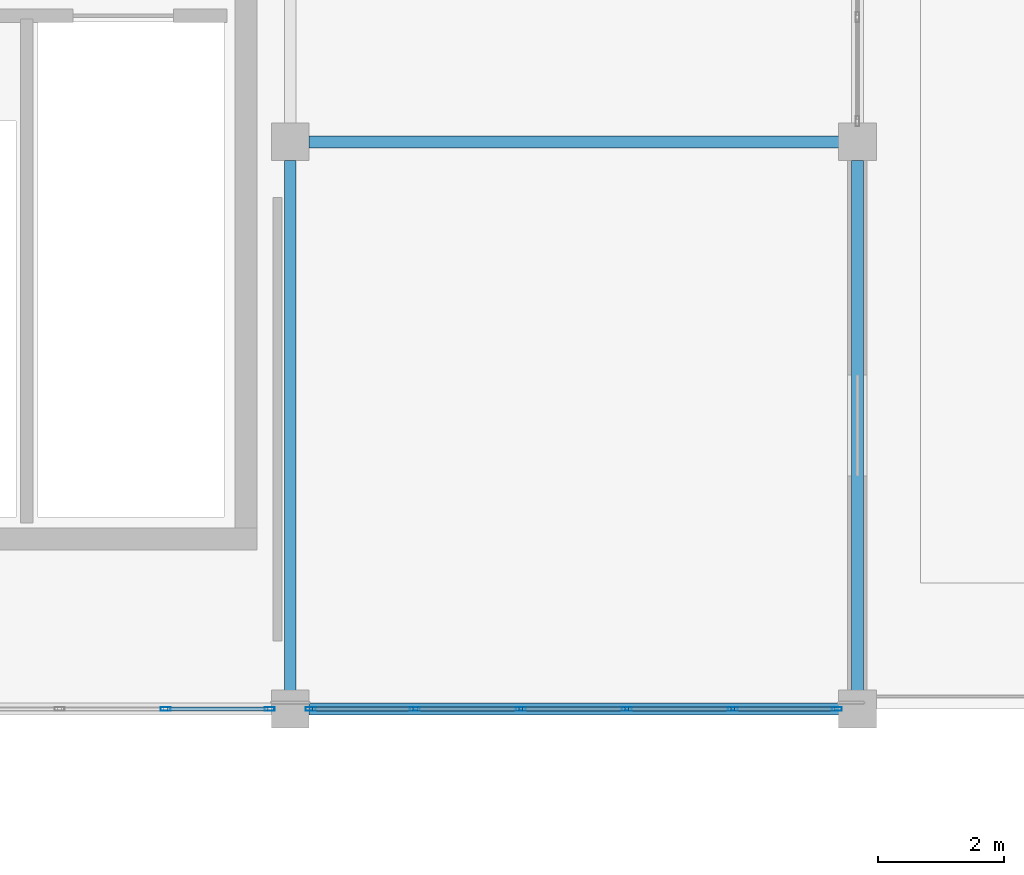
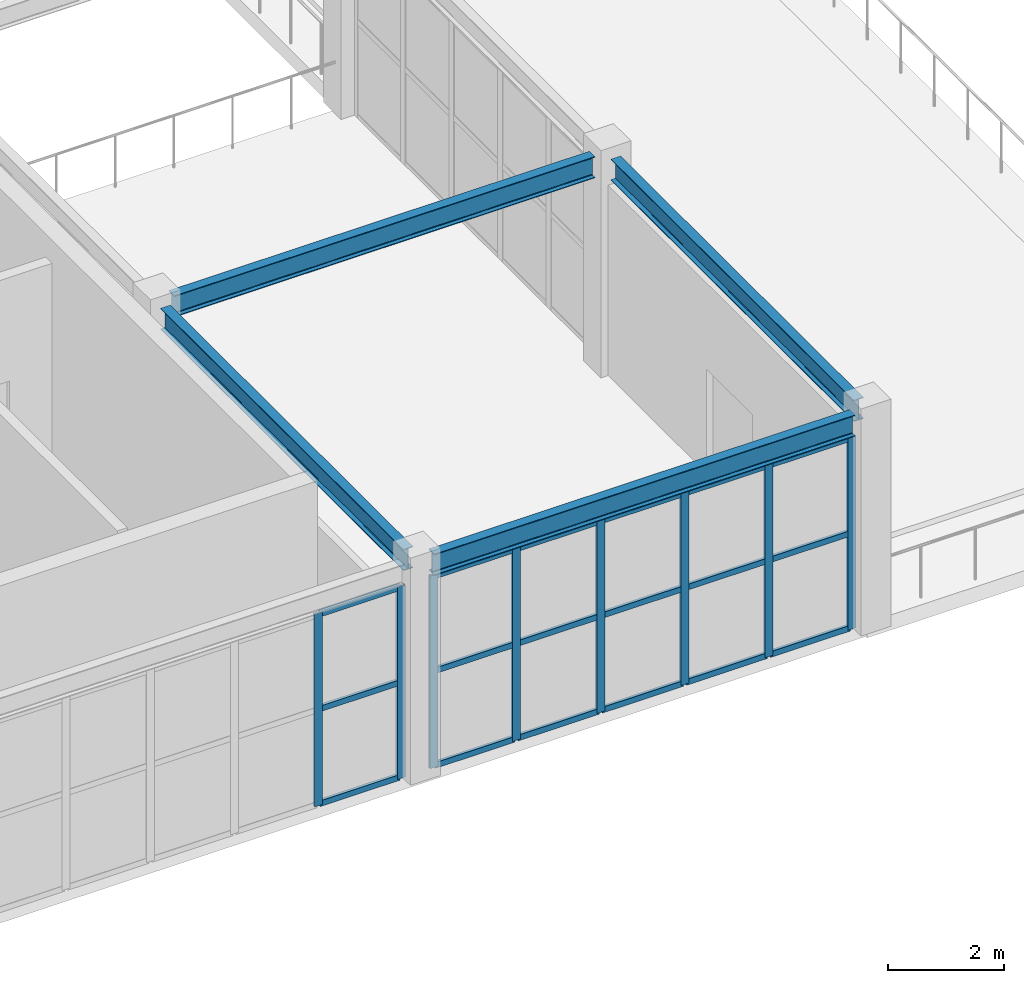
# One storey, part 99 of 167: 26 members, 4 beams, 2 elements without a shape of their own.
"""IFC4 building model written with IfcOpenShell, lengths in metres."""

from ifc_helpers import new_model, si_unit, direction, frame, origin, origin_2d, place, context, subcontext, project, spatial, hollow_rectangle, i_section, extrude, material, layer, layer_set, material_profile, profile_set, type_object, element, aggregate, save


model = new_model("IFC4")

# Units and contexts
model_context = context("Model", 3, precision=1e-05, world=origin(), true_north=direction((0.0, 1.0)))
body_context = subcontext(model_context, "Body", "Model", "MODEL_VIEW")
ifc_project = project(units=[si_unit("LENGTHUNIT", "METRE"), si_unit("AREAUNIT", "SQUARE_METRE"), si_unit("VOLUMEUNIT", "CUBIC_METRE"), si_unit("PLANEANGLEUNIT", "RADIAN"), si_unit("MASSUNIT", "GRAM", prefix="KILO")], contexts=[model_context])

# Site, building, storey
site_placement = place(None, origin())
site = spatial("IfcSite", under=ifc_project, at=site_placement, CompositionType="ELEMENT")
building_placement = place(site_placement, origin())
building = spatial("IfcBuilding", under=site, at=building_placement, Name="Dornveld Trade and Exhibition Forum", CompositionType="ELEMENT")
storey_placement = place(building_placement, frame((0.0, 0.0, 16.800048828125)))
storey = spatial("IfcBuildingStorey", under=building, at=storey_placement, Name="L03", CompositionType="ELEMENT", Elevation=16.800048828125)

# Beams
ifc_material_1 = material(Name="Steel S355J2", Category="steel")
ifc_material_profile_1 = material_profile(ifc_material_1, i_section(OverallWidth=0.18994140625, OverallDepth=0.449951171875, WebThickness=0.009521484375, FlangeThickness=0.0146484375, FilletRadius=0.02099609375, at=origin_2d()), Name="IPE 450")
ifc_profile_set_1 = profile_set([ifc_material_profile_1], Name="Steel S355J2")
beam_type = type_object("IfcBeamType", Name="BM-SEC-450", PredefinedType="BEAM", material=ifc_profile_set_1)
for number, where, z_axis, x_axis, name in (
    (1, (189.2958984375, 108.0, 4.324951171875), (1.0, 0.0, 0.0), (0.0, 1.0, 0.0), "L03 X-girder 1637"),
    (2, (189.2958984375, 117.0, 4.324951171875), (1.0, 0.0, 0.0), (0.0, 1.0, 0.0), "L03 X-girder 1639"),
    (3, (189.0, 108.2958984375, 4.324951171875), (0.0, 1.0, 0.0), (-1.0, 0.0, 0.0), "L03 Y-girder 1647"),
    (4, (198.0, 108.2958984375, 4.324951171875), (0.0, 1.0, 0.0), (-1.0, 0.0, 0.0), "L03 Y-girder 1649"),
):
    element("IfcBeam", number, at=place(storey_placement, frame(where, z_axis=z_axis, x_axis=x_axis)), inside=storey, type_object=beam_type, Name=name, PredefinedType="BEAM", context=body_context, shape_type="SweptSolid", body=[
        extrude(i_section(OverallWidth=0.18994140625, OverallDepth=0.449951171875, WebThickness=0.009521484375, FlangeThickness=0.0146484375, FilletRadius=0.02099609375, at=origin_2d()), origin(), (0.0, 0.0, 1.0), 8.408203125),
    ])

# Curtain wall, members
ifc_material_2 = material(Name="Dark-bronze anodised aluminium and low-E glass", Category="aluminium")
ifc_layer_1 = layer(ifc_material_2, 0.177978515625)
ifc_layer_set_1 = layer_set([ifc_layer_1], Name="Dark-bronze anodised aluminium and low-E glass")
curtain_wall_type_1 = type_object("IfcCurtainWallType", Name="CW-SYS-12", PredefinedType="USERDEFINED", material=ifc_layer_set_1)
curtain_wall_1_placement = place(storey_placement, origin())
curtain_wall_1 = element("IfcCurtainWall", 5, at=curtain_wall_1_placement, inside=storey, type_object=curtain_wall_type_1, Name="L03 unitised curtain wall 120", ObjectType="UNITISED_CURTAIN_WALL", PredefinedType="USERDEFINED")
ifc_material_3 = material(Name="Dark-bronze anodised aluminium", Category="aluminium")
ifc_material_profile_2 = material_profile(ifc_material_3, hollow_rectangle(XDim=0.06005859375, YDim=0.159912109375, WallThickness=0.00390625, at=origin_2d()), Name="RHS 160x60x4")
ifc_profile_set_2 = profile_set([ifc_material_profile_2], Name="Dark-bronze anodised aluminium")
member_type_1 = type_object("IfcMemberType", Name="CW-MUL-160", PredefinedType="MULLION", material=ifc_profile_set_2)
member_1_placement = place(storey_placement, frame((187.0224609375, 108.0, -0.004150390625), z_axis=(0.0, 0.0, 1.0), x_axis=(0.0, 1.0, 0.0)))
member_1 = element("IfcMember", 6, at=member_1_placement, type_object=member_type_1, Name="CW-12 mullion 5", PredefinedType="MULLION", context=body_context, shape_type="SweptSolid", body=[
    extrude(hollow_rectangle(XDim=0.06005859375, YDim=0.159912109375, WallThickness=0.00390625, at=origin_2d()), origin(), (0.0, 0.0, 1.0), 4.064208984375),
])
member_2_placement = place(storey_placement, frame((188.674072265625, 108.0, -0.004150390625), z_axis=(0.0, 0.0, 1.0), x_axis=(0.0, 1.0, 0.0)))
member_2 = element("IfcMember", 7, at=member_2_placement, type_object=member_type_1, Name="CW-12 mullion 6", PredefinedType="MULLION", context=body_context, shape_type="SweptSolid", body=[
    extrude(hollow_rectangle(XDim=0.06005859375, YDim=0.159912109375, WallThickness=0.00390625, at=origin_2d()), origin(), (0.0, 0.0, 1.0), 4.064208984375),
])

ifc_material_4 = material(Name="Dark-bronze anodised aluminium and low-E glass", Category="aluminium")
ifc_layer_2 = layer(ifc_material_4, 0.180908203125)
ifc_layer_set_2 = layer_set([ifc_layer_2], Name="Dark-bronze anodised aluminium and low-E glass")
curtain_wall_type_2 = type_object("IfcCurtainWallType", Name="CW-SYS-13", PredefinedType="USERDEFINED", material=ifc_layer_set_2)
curtain_wall_2_placement = place(storey_placement, origin())
curtain_wall_2 = element("IfcCurtainWall", 8, at=curtain_wall_2_placement, inside=storey, type_object=curtain_wall_type_2, Name="L03 unitised curtain wall 121", ObjectType="UNITISED_CURTAIN_WALL", PredefinedType="USERDEFINED")
member_3_placement = place(storey_placement, frame((189.325927734375, 108.0, -0.004150390625), z_axis=(0.0, 0.0, 1.0), x_axis=(0.0, 1.0, 0.0)))
member_3 = element("IfcMember", 9, at=member_3_placement, type_object=member_type_1, Name="CW-13 mullion 1", PredefinedType="MULLION", context=body_context, shape_type="SweptSolid", body=[
    extrude(hollow_rectangle(XDim=0.06005859375, YDim=0.159912109375, WallThickness=0.00390625, at=origin_2d()), origin(), (0.0, 0.0, 1.0), 4.064208984375),
])
member_4_placement = place(storey_placement, frame((190.9775390625, 108.0, -0.004150390625), z_axis=(0.0, 0.0, 1.0), x_axis=(0.0, 1.0, 0.0)))
member_4 = element("IfcMember", 10, at=member_4_placement, type_object=member_type_1, Name="CW-13 mullion 2", PredefinedType="MULLION", context=body_context, shape_type="SweptSolid", body=[
    extrude(hollow_rectangle(XDim=0.06005859375, YDim=0.159912109375, WallThickness=0.00390625, at=origin_2d()), origin(), (0.0, 0.0, 1.0), 4.064208984375),
])
member_5_placement = place(storey_placement, frame((192.6591796875, 108.0, -0.004150390625), z_axis=(0.0, 0.0, 1.0), x_axis=(0.0, 1.0, 0.0)))
member_5 = element("IfcMember", 11, at=member_5_placement, type_object=member_type_1, Name="CW-13 mullion 3", PredefinedType="MULLION", context=body_context, shape_type="SweptSolid", body=[
    extrude(hollow_rectangle(XDim=0.06005859375, YDim=0.159912109375, WallThickness=0.00390625, at=origin_2d()), origin(), (0.0, 0.0, 1.0), 4.064208984375),
])
member_6_placement = place(storey_placement, frame((194.3408203125, 108.0, -0.004150390625), z_axis=(0.0, 0.0, 1.0), x_axis=(0.0, 1.0, 0.0)))
member_6 = element("IfcMember", 12, at=member_6_placement, type_object=member_type_1, Name="CW-13 mullion 4", PredefinedType="MULLION", context=body_context, shape_type="SweptSolid", body=[
    extrude(hollow_rectangle(XDim=0.06005859375, YDim=0.159912109375, WallThickness=0.00390625, at=origin_2d()), origin(), (0.0, 0.0, 1.0), 4.064208984375),
])
member_7_placement = place(storey_placement, frame((196.0224609375, 108.0, -0.004150390625), z_axis=(0.0, 0.0, 1.0), x_axis=(0.0, 1.0, 0.0)))
member_7 = element("IfcMember", 13, at=member_7_placement, type_object=member_type_1, Name="CW-13 mullion 5", PredefinedType="MULLION", context=body_context, shape_type="SweptSolid", body=[
    extrude(hollow_rectangle(XDim=0.06005859375, YDim=0.159912109375, WallThickness=0.00390625, at=origin_2d()), origin(), (0.0, 0.0, 1.0), 4.064208984375),
])
member_8_placement = place(storey_placement, frame((197.674072265625, 108.0, -0.004150390625), z_axis=(0.0, 0.0, 1.0), x_axis=(0.0, 1.0, 0.0)))
member_8 = element("IfcMember", 14, at=member_8_placement, type_object=member_type_1, Name="CW-13 mullion 6", PredefinedType="MULLION", context=body_context, shape_type="SweptSolid", body=[
    extrude(hollow_rectangle(XDim=0.06005859375, YDim=0.159912109375, WallThickness=0.00390625, at=origin_2d()), origin(), (0.0, 0.0, 1.0), 4.064208984375),
])

# Member
ifc_material_5 = material(Name="Dark-bronze anodised aluminium", Category="aluminium")
ifc_material_profile_3 = material_profile(ifc_material_5, hollow_rectangle(XDim=0.06005859375, YDim=0.1201171875, WallThickness=0.00390625, at=origin_2d()), Name="RHS 120x60x4")
ifc_profile_set_3 = profile_set([ifc_material_profile_3], Name="Dark-bronze anodised aluminium")
member_type_2 = type_object("IfcMemberType", Name="CW-TRN-120", PredefinedType="USERDEFINED", material=ifc_profile_set_3)
member_9_placement = place(storey_placement, frame((187.052490234375, 108.0, 0.02587890625), z_axis=(1.0, 0.0, 0.0), x_axis=(0.0, 1.0, 0.0)))
member_9 = element("IfcMember", 15, at=member_9_placement, type_object=member_type_2, Name="CW-12 transom 5.1", ObjectType="TRANSOM", PredefinedType="USERDEFINED", context=body_context, shape_type="SweptSolid", body=[
    extrude(hollow_rectangle(XDim=0.06005859375, YDim=0.1201171875, WallThickness=0.00390625, at=origin_2d()), origin(), (0.0, 0.0, 1.0), 1.591552734375),
])

member_10_placement = place(storey_placement, frame((187.052490234375, 108.0, 2.02783203125), z_axis=(1.0, 0.0, 0.0), x_axis=(0.0, 1.0, 0.0)))
member_10 = element("IfcMember", 16, at=member_10_placement, type_object=member_type_2, Name="CW-12 transom 5.2", ObjectType="TRANSOM", PredefinedType="USERDEFINED", context=body_context, shape_type="SweptSolid", body=[
    extrude(hollow_rectangle(XDim=0.06005859375, YDim=0.1201171875, WallThickness=0.00390625, at=origin_2d()), origin(), (0.0, 0.0, 1.0), 1.591552734375),
])

member_11_placement = place(storey_placement, frame((187.052490234375, 108.0, 4.030029296875), z_axis=(1.0, 0.0, 0.0), x_axis=(0.0, 1.0, 0.0)))
member_11 = element("IfcMember", 17, at=member_11_placement, type_object=member_type_2, Name="CW-12 transom 5.3", ObjectType="TRANSOM", PredefinedType="USERDEFINED", context=body_context, shape_type="SweptSolid", body=[
    extrude(hollow_rectangle(XDim=0.06005859375, YDim=0.1201171875, WallThickness=0.00390625, at=origin_2d()), origin(), (0.0, 0.0, 1.0), 1.591552734375),
])

aggregate(curtain_wall_1, [member_1, member_2, member_9, member_10, member_11])

member_12_placement = place(storey_placement, frame((189.35595703125, 108.0, 0.02587890625), z_axis=(1.0, 0.0, 0.0), x_axis=(0.0, 1.0, 0.0)))
member_12 = element("IfcMember", 18, at=member_12_placement, type_object=member_type_2, Name="CW-13 transom 1.1", ObjectType="TRANSOM", PredefinedType="USERDEFINED", context=body_context, shape_type="SweptSolid", body=[
    extrude(hollow_rectangle(XDim=0.06005859375, YDim=0.1201171875, WallThickness=0.00390625, at=origin_2d()), origin(), (0.0, 0.0, 1.0), 1.591552734375),
])

member_13_placement = place(storey_placement, frame((189.35595703125, 108.0, 2.02783203125), z_axis=(1.0, 0.0, 0.0), x_axis=(0.0, 1.0, 0.0)))
member_13 = element("IfcMember", 19, at=member_13_placement, type_object=member_type_2, Name="CW-13 transom 1.2", ObjectType="TRANSOM", PredefinedType="USERDEFINED", context=body_context, shape_type="SweptSolid", body=[
    extrude(hollow_rectangle(XDim=0.06005859375, YDim=0.1201171875, WallThickness=0.00390625, at=origin_2d()), origin(), (0.0, 0.0, 1.0), 1.591552734375),
])

member_14_placement = place(storey_placement, frame((189.35595703125, 108.0, 4.030029296875), z_axis=(1.0, 0.0, 0.0), x_axis=(0.0, 1.0, 0.0)))
member_14 = element("IfcMember", 20, at=member_14_placement, type_object=member_type_2, Name="CW-13 transom 1.3", ObjectType="TRANSOM", PredefinedType="USERDEFINED", context=body_context, shape_type="SweptSolid", body=[
    extrude(hollow_rectangle(XDim=0.06005859375, YDim=0.1201171875, WallThickness=0.00390625, at=origin_2d()), origin(), (0.0, 0.0, 1.0), 1.591552734375),
])

member_15_placement = place(storey_placement, frame((191.007568359375, 108.0, 0.02587890625), z_axis=(1.0, 0.0, 0.0), x_axis=(0.0, 1.0, 0.0)))
member_15 = element("IfcMember", 21, at=member_15_placement, type_object=member_type_2, Name="CW-13 transom 2.1", ObjectType="TRANSOM", PredefinedType="USERDEFINED", context=body_context, shape_type="SweptSolid", body=[
    extrude(hollow_rectangle(XDim=0.06005859375, YDim=0.1201171875, WallThickness=0.00390625, at=origin_2d()), origin(), (0.0, 0.0, 1.0), 1.62158203125),
])

member_16_placement = place(storey_placement, frame((191.007568359375, 108.0, 2.02783203125), z_axis=(1.0, 0.0, 0.0), x_axis=(0.0, 1.0, 0.0)))
member_16 = element("IfcMember", 22, at=member_16_placement, type_object=member_type_2, Name="CW-13 transom 2.2", ObjectType="TRANSOM", PredefinedType="USERDEFINED", context=body_context, shape_type="SweptSolid", body=[
    extrude(hollow_rectangle(XDim=0.06005859375, YDim=0.1201171875, WallThickness=0.00390625, at=origin_2d()), origin(), (0.0, 0.0, 1.0), 1.62158203125),
])

member_17_placement = place(storey_placement, frame((191.007568359375, 108.0, 4.030029296875), z_axis=(1.0, 0.0, 0.0), x_axis=(0.0, 1.0, 0.0)))
member_17 = element("IfcMember", 23, at=member_17_placement, type_object=member_type_2, Name="CW-13 transom 2.3", ObjectType="TRANSOM", PredefinedType="USERDEFINED", context=body_context, shape_type="SweptSolid", body=[
    extrude(hollow_rectangle(XDim=0.06005859375, YDim=0.1201171875, WallThickness=0.00390625, at=origin_2d()), origin(), (0.0, 0.0, 1.0), 1.62158203125),
])

member_18_placement = place(storey_placement, frame((192.689208984375, 108.0, 0.02587890625), z_axis=(1.0, 0.0, 0.0), x_axis=(0.0, 1.0, 0.0)))
member_18 = element("IfcMember", 24, at=member_18_placement, type_object=member_type_2, Name="CW-13 transom 3.1", ObjectType="TRANSOM", PredefinedType="USERDEFINED", context=body_context, shape_type="SweptSolid", body=[
    extrude(hollow_rectangle(XDim=0.06005859375, YDim=0.1201171875, WallThickness=0.00390625, at=origin_2d()), origin(), (0.0, 0.0, 1.0), 1.62158203125),
])

member_19_placement = place(storey_placement, frame((192.689208984375, 108.0, 2.02783203125), z_axis=(1.0, 0.0, 0.0), x_axis=(0.0, 1.0, 0.0)))
member_19 = element("IfcMember", 25, at=member_19_placement, type_object=member_type_2, Name="CW-13 transom 3.2", ObjectType="TRANSOM", PredefinedType="USERDEFINED", context=body_context, shape_type="SweptSolid", body=[
    extrude(hollow_rectangle(XDim=0.06005859375, YDim=0.1201171875, WallThickness=0.00390625, at=origin_2d()), origin(), (0.0, 0.0, 1.0), 1.62158203125),
])

member_20_placement = place(storey_placement, frame((192.689208984375, 108.0, 4.030029296875), z_axis=(1.0, 0.0, 0.0), x_axis=(0.0, 1.0, 0.0)))
member_20 = element("IfcMember", 26, at=member_20_placement, type_object=member_type_2, Name="CW-13 transom 3.3", ObjectType="TRANSOM", PredefinedType="USERDEFINED", context=body_context, shape_type="SweptSolid", body=[
    extrude(hollow_rectangle(XDim=0.06005859375, YDim=0.1201171875, WallThickness=0.00390625, at=origin_2d()), origin(), (0.0, 0.0, 1.0), 1.62158203125),
])

member_21_placement = place(storey_placement, frame((194.370849609375, 108.0, 0.02587890625), z_axis=(1.0, 0.0, 0.0), x_axis=(0.0, 1.0, 0.0)))
member_21 = element("IfcMember", 27, at=member_21_placement, type_object=member_type_2, Name="CW-13 transom 4.1", ObjectType="TRANSOM", PredefinedType="USERDEFINED", context=body_context, shape_type="SweptSolid", body=[
    extrude(hollow_rectangle(XDim=0.06005859375, YDim=0.1201171875, WallThickness=0.00390625, at=origin_2d()), origin(), (0.0, 0.0, 1.0), 1.62158203125),
])

member_22_placement = place(storey_placement, frame((194.370849609375, 108.0, 2.02783203125), z_axis=(1.0, 0.0, 0.0), x_axis=(0.0, 1.0, 0.0)))
member_22 = element("IfcMember", 28, at=member_22_placement, type_object=member_type_2, Name="CW-13 transom 4.2", ObjectType="TRANSOM", PredefinedType="USERDEFINED", context=body_context, shape_type="SweptSolid", body=[
    extrude(hollow_rectangle(XDim=0.06005859375, YDim=0.1201171875, WallThickness=0.00390625, at=origin_2d()), origin(), (0.0, 0.0, 1.0), 1.62158203125),
])

member_23_placement = place(storey_placement, frame((194.370849609375, 108.0, 4.030029296875), z_axis=(1.0, 0.0, 0.0), x_axis=(0.0, 1.0, 0.0)))
member_23 = element("IfcMember", 29, at=member_23_placement, type_object=member_type_2, Name="CW-13 transom 4.3", ObjectType="TRANSOM", PredefinedType="USERDEFINED", context=body_context, shape_type="SweptSolid", body=[
    extrude(hollow_rectangle(XDim=0.06005859375, YDim=0.1201171875, WallThickness=0.00390625, at=origin_2d()), origin(), (0.0, 0.0, 1.0), 1.62158203125),
])

member_24_placement = place(storey_placement, frame((196.052490234375, 108.0, 0.02587890625), z_axis=(1.0, 0.0, 0.0), x_axis=(0.0, 1.0, 0.0)))
member_24 = element("IfcMember", 30, at=member_24_placement, type_object=member_type_2, Name="CW-13 transom 5.1", ObjectType="TRANSOM", PredefinedType="USERDEFINED", context=body_context, shape_type="SweptSolid", body=[
    extrude(hollow_rectangle(XDim=0.06005859375, YDim=0.1201171875, WallThickness=0.00390625, at=origin_2d()), origin(), (0.0, 0.0, 1.0), 1.591552734375),
])

member_25_placement = place(storey_placement, frame((196.052490234375, 108.0, 2.02783203125), z_axis=(1.0, 0.0, 0.0), x_axis=(0.0, 1.0, 0.0)))
member_25 = element("IfcMember", 31, at=member_25_placement, type_object=member_type_2, Name="CW-13 transom 5.2", ObjectType="TRANSOM", PredefinedType="USERDEFINED", context=body_context, shape_type="SweptSolid", body=[
    extrude(hollow_rectangle(XDim=0.06005859375, YDim=0.1201171875, WallThickness=0.00390625, at=origin_2d()), origin(), (0.0, 0.0, 1.0), 1.591552734375),
])

member_26_placement = place(storey_placement, frame((196.052490234375, 108.0, 4.030029296875), z_axis=(1.0, 0.0, 0.0), x_axis=(0.0, 1.0, 0.0)))
member_26 = element("IfcMember", 32, at=member_26_placement, type_object=member_type_2, Name="CW-13 transom 5.3", ObjectType="TRANSOM", PredefinedType="USERDEFINED", context=body_context, shape_type="SweptSolid", body=[
    extrude(hollow_rectangle(XDim=0.06005859375, YDim=0.1201171875, WallThickness=0.00390625, at=origin_2d()), origin(), (0.0, 0.0, 1.0), 1.591552734375),
])

aggregate(curtain_wall_2, [member_3, member_4, member_5, member_6, member_7, member_8, member_12, member_13, member_14, member_15, member_16, member_17, member_18, member_19, member_20, member_21, member_22, member_23, member_24, member_25, member_26])

save(model, "model.ifc")
